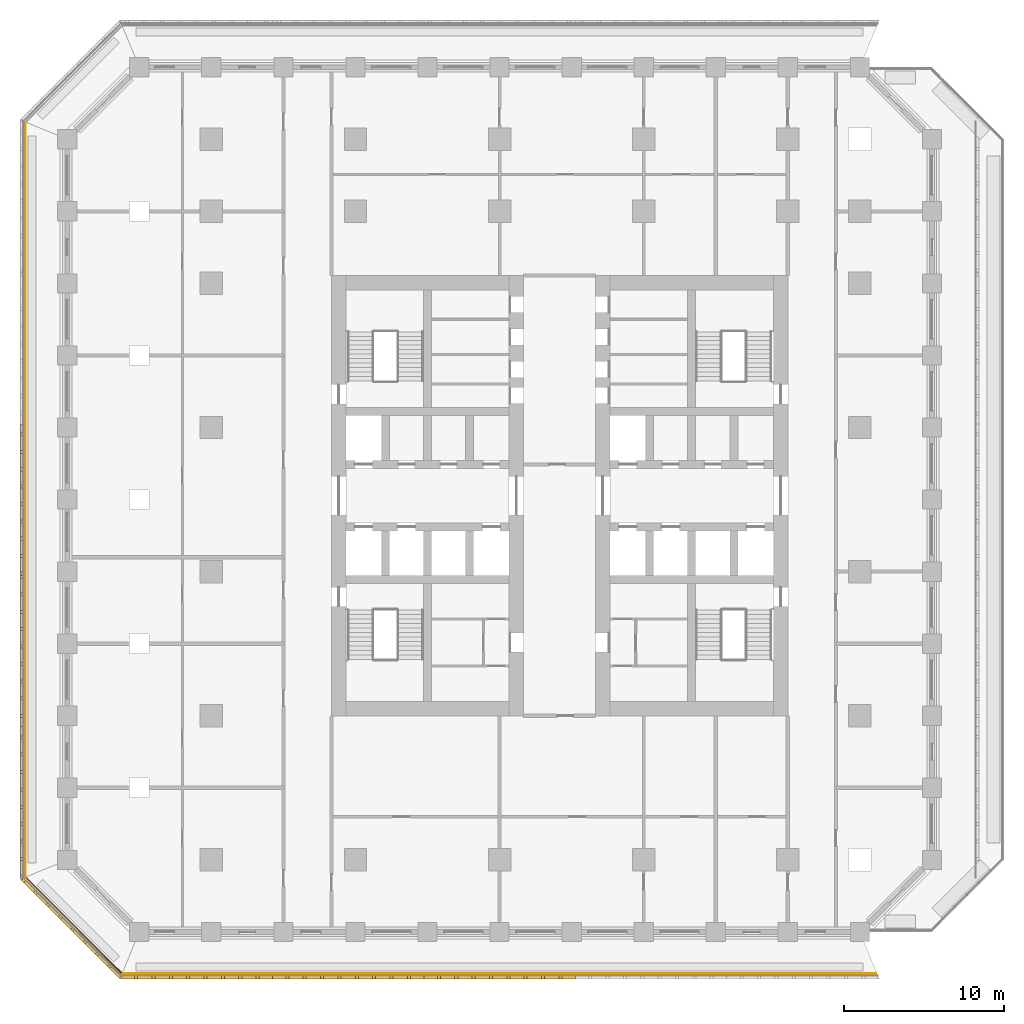
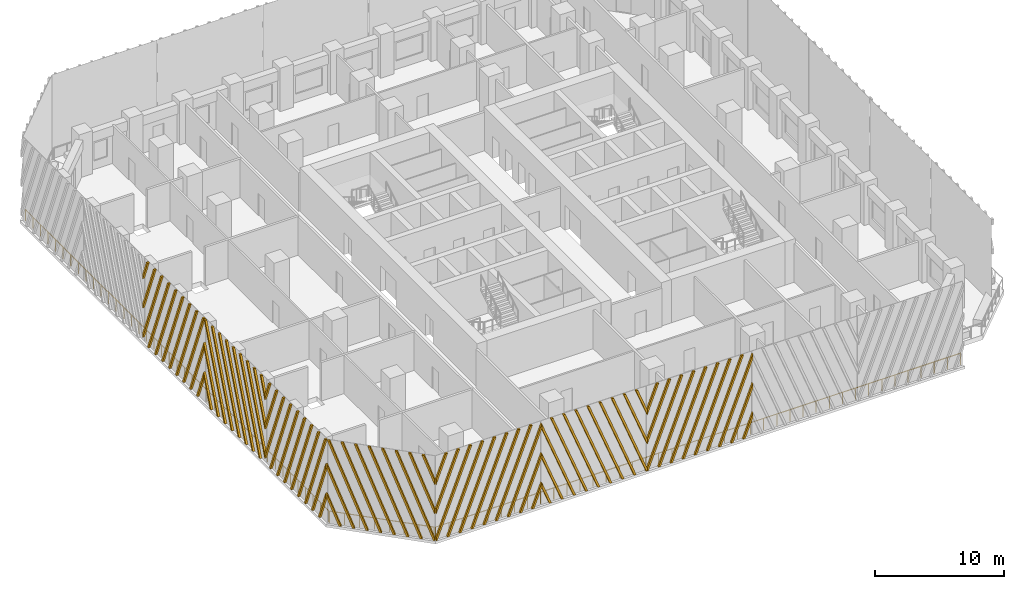
# One storey, part 10 of 19: 7 shading devices, 3 railings.
"""IFC4 building model written with IfcOpenShell, lengths in metres."""

import ifcopenshell
import ifcopenshell.guid

model = None  # the IFC model being written
_history = None  # IfcOwnerHistory: only IFC2X3 demands one
_inside = {}  # id of a spatial element -> (the spatial element, [elements in it])
_under = {}  # id of a project, library or spatial element -> (it, [spatial elements below it])
_declared = {}  # id of a project -> (the project, [libraries it declares])
_typed = {}  # id of a type object -> (the type object, [elements of that type])
_made_of = {}  # id of a material, layer set ... -> (it, [elements and type objects made of it])


def new_model(schema):
    """Start an empty IFC model of exactly this schema.

    Asked for "IFC4X3", IfcOpenShell would pick the latest addendum, in which some entities
    have other attributes; the version numbers below select the first issue.
    IFC2X3 requires an IfcOwnerHistory on every rooted entity: one is made here for all.
    """
    global model, _history
    if schema == "IFC4X3":
        model = ifcopenshell.file(schema_version=(4, 3, 0, 0))
    else:
        model = ifcopenshell.file(schema=schema)
    _inside.clear()
    _under.clear()
    _declared.clear()
    _typed.clear()
    _made_of.clear()
    _history = None
    if model.schema == "IFC2X3":
        org = make("IfcOrganization", Name="unknown")
        user = make(
            "IfcPersonAndOrganization",
            ThePerson=make("IfcPerson", FamilyName="unknown"),
            TheOrganization=org,
        )
        app = make(
            "IfcApplication",
            ApplicationDeveloper=org,
            Version="unknown",
            ApplicationFullName="unknown",
            ApplicationIdentifier="unknown",
        )
        _history = make(
            "IfcOwnerHistory",
            OwningUser=user,
            OwningApplication=app,
            ChangeAction="ADDED",
            CreationDate=0,
        )
    return model


def make(cls, **values):
    """One entity of the class cls with the attributes given. An attribute that is None is left unset."""
    return model.create_entity(
        cls, **{name: value for name, value in values.items() if value is not None}
    )


def rooted(cls, **values):
    """An entity with a GlobalId (a new one), such as an element, a storey or a relation."""
    return make(cls, GlobalId=ifcopenshell.guid.new(), OwnerHistory=_history, **values)


def si_unit(unit_type, name, prefix=None):
    """IfcSIUnit, for example si_unit("LENGTHUNIT", "METRE", prefix="MILLI")."""
    return make("IfcSIUnit", UnitType=unit_type, Prefix=prefix, Name=name)


def assignment(units):
    """IfcUnitAssignment: the units of a project."""
    return None if units is None else make("IfcUnitAssignment", Units=units)


def point(xyz):
    """IfcCartesianPoint."""
    return None if xyz is None else make("IfcCartesianPoint", Coordinates=xyz)


def direction(xyz):
    """IfcDirection."""
    return None if xyz is None else make("IfcDirection", DirectionRatios=xyz)


def frame(location, z_axis=None, x_axis=None):
    """IfcAxis2Placement3D, a coordinate frame: its origin and axes. An axis left out is left unset."""
    return make(
        "IfcAxis2Placement3D",
        Location=point(location),
        Axis=direction(z_axis),
        RefDirection=direction(x_axis),
    )


def frame_2d(location, x_axis=None):
    """IfcAxis2Placement2D, a coordinate frame in the plane: its origin and x axis."""
    return make(
        "IfcAxis2Placement2D", Location=point(location), RefDirection=direction(x_axis)
    )


def origin():
    """The frame at (0, 0, 0) with its axes left unset."""
    return frame((0.0, 0.0, 0.0))


def origin_2d():
    """The frame at (0, 0) in the plane with its x axis left unset."""
    return frame_2d((0.0, 0.0))


def place(relative_to, where):
    """IfcLocalPlacement: puts the frame where relative to a parent placement (None: the world)."""
    return make(
        "IfcLocalPlacement", PlacementRelTo=relative_to, RelativePlacement=where
    )


def context(
    kind, dimensions, precision=None, world=None, true_north=None, identifier=None
):
    """IfcGeometricRepresentationContext, for example the 3D "Model" context."""
    return make(
        "IfcGeometricRepresentationContext",
        ContextIdentifier=identifier,
        ContextType=kind,
        CoordinateSpaceDimension=dimensions,
        Precision=precision,
        WorldCoordinateSystem=world,
        TrueNorth=true_north,
    )


def subcontext(parent, identifier, kind, view, scale=None):
    """IfcGeometricRepresentationSubContext, for example "Body" below "Model"."""
    return make(
        "IfcGeometricRepresentationSubContext",
        ContextIdentifier=identifier,
        ContextType=kind,
        ParentContext=parent,
        TargetScale=scale,
        TargetView=view,
    )


def project(units=None, contexts=None):
    """IfcProject with its units and contexts."""
    return rooted(
        "IfcProject",
        Name="project",
        RepresentationContexts=contexts,
        UnitsInContext=assignment(units),
    )


def spatial(cls, under=None, at=None, **own):
    """A site, building, storey or space (cls), placed at a placement, below another one or the project."""
    s = rooted(cls, ObjectPlacement=at, **own)
    if under is not None:
        _under.setdefault(under.id(), (under, []))[1].append(s)
    return s


def polyline(points):
    """IfcPolyline through the points."""
    return make("IfcPolyline", Points=[point(p) for p in points])


def profile(cls, at=None, kind="AREA", **sizes):
    """A parametric profile (cls). Its sizes go by their IFC names, for example OverallWidth=200.0."""
    return make(cls, ProfileType=kind, Position=at, **sizes)


def circle(**sizes):
    """IfcCircleProfileDef."""
    return profile("IfcCircleProfileDef", **sizes)


def outline(outer, holes=None, kind="AREA"):
    """IfcArbitraryClosedProfileDef: a profile drawn as a closed curve; with holes, ...WithVoids."""
    if holes is None:
        return make("IfcArbitraryClosedProfileDef", ProfileType=kind, OuterCurve=outer)
    return make(
        "IfcArbitraryProfileDefWithVoids",
        ProfileType=kind,
        OuterCurve=outer,
        InnerCurves=holes,
    )


def extrude(swept, where, along, depth):
    """IfcExtrudedAreaSolid: the profile swept, set in the frame where, extruded along a direction by depth."""
    return make(
        "IfcExtrudedAreaSolid",
        SweptArea=swept,
        Position=where,
        ExtrudedDirection=direction(along),
        Depth=depth,
    )


def shape(context_of_items, identifier, shape_type, items):
    """IfcShapeRepresentation: the items that make up one representation, for example the "Body"."""
    return make(
        "IfcShapeRepresentation",
        ContextOfItems=context_of_items,
        RepresentationIdentifier=identifier,
        RepresentationType=shape_type,
        Items=items,
    )


def source(mapping_origin, context_of_items, identifier, shape_type, items):
    """IfcRepresentationMap: a shape defined once, which mapped items show again and again."""
    return make(
        "IfcRepresentationMap",
        MappingOrigin=mapping_origin,
        MappedRepresentation=shape(context_of_items, identifier, shape_type, items),
    )


def transform(
    local_origin,
    x_axis=None,
    y_axis=None,
    z_axis=None,
    scale=None,
    scale2=None,
    scale3=None,
    uniform=True,
):
    """IfcCartesianTransformationOperator3D, or its non-uniform kind. x_axis, y_axis, z_axis: its Axis1, 2, 3."""
    if uniform:
        return make(
            "IfcCartesianTransformationOperator3D",
            Axis1=direction(x_axis),
            Axis2=direction(y_axis),
            LocalOrigin=point(local_origin),
            Scale=scale,
            Axis3=direction(z_axis),
        )
    return make(
        "IfcCartesianTransformationOperator3DnonUniform",
        Axis1=direction(x_axis),
        Axis2=direction(y_axis),
        LocalOrigin=point(local_origin),
        Scale=scale,
        Axis3=direction(z_axis),
        Scale2=scale2,
        Scale3=scale3,
    )


def mapped(mapping_source, mapping_target):
    """IfcMappedItem: shows the shape of a source again, moved by a transform."""
    return make(
        "IfcMappedItem", MappingSource=mapping_source, MappingTarget=mapping_target
    )


def material(Name=None, Category=None):
    """IfcMaterial."""
    return make("IfcMaterial", Name=Name, Category=Category)


def made_of(thing, what):
    """Note that an element or type object is made of a material, layer set ...; save() writes the relation."""
    if what is not None:
        _made_of.setdefault(what.id(), (what, []))[1].append(thing)
    return thing


def type_object(cls, material=None, **own):
    """A type object (cls), such as IfcWallType, which elements share."""
    return made_of(rooted(cls, **own), material)


def element(
    cls,
    number,
    at=None,
    inside=None,
    cuts=None,
    type_object=None,
    material=None,
    context=None,
    identifier="Body",
    shape_type=None,
    held_by="IfcProductDefinitionShape",
    body=None,
    shapes=None,
    **own,
):
    """One element of the class cls, such as IfcWall. Its Tag is "e" and its number.

    at: its placement. inside: the storey or other place that contains it. cuts: it is an
    opening in that element (IfcRelVoidsElement). A single representation is given by context,
    identifier, shape_type and body (its items); several are given by shapes. held_by: the class
    of the entity that holds the representations. save() writes the other relations.
    """
    e = rooted(cls, Tag="e%d" % number, ObjectPlacement=at, **own)
    if body is not None:
        shapes = [shape(context, identifier, shape_type, body)]
    if shapes is not None:
        e.Representation = make(held_by, Representations=shapes)
    if inside is not None:
        _inside.setdefault(inside.id(), (inside, []))[1].append(e)
    if cuts is not None:
        rooted(
            "IfcRelVoidsElement", RelatingBuildingElement=cuts, RelatedOpeningElement=e
        )
    if type_object is not None:
        _typed.setdefault(type_object.id(), (type_object, []))[1].append(e)
    return made_of(e, material)


def aggregate(whole, parts):
    """IfcRelAggregates: a whole, such as a stair, and the parts it consists of."""
    return rooted("IfcRelAggregates", RelatingObject=whole, RelatedObjects=parts)


def save(model, path):
    """Write the relations noted so far, then the file.

    IfcRelAggregates (storeys below a building ...), IfcRelContainedInSpatialStructure (elements
    in a storey), IfcRelDefinesByType, IfcRelAssociatesMaterial and IfcRelDeclares: one each for
    every whole, place, type object, material and project.
    """
    for whole, parts in _under.values():
        aggregate(whole, parts)
    for where, things in _inside.values():
        rooted(
            "IfcRelContainedInSpatialStructure",
            RelatedElements=things,
            RelatingStructure=where,
        )
    for kind, things in _typed.values():
        rooted("IfcRelDefinesByType", RelatedObjects=things, RelatingType=kind)
    for what, things in _made_of.values():
        rooted("IfcRelAssociatesMaterial", RelatedObjects=things, RelatingMaterial=what)
    for by, libraries in _declared.values():
        rooted("IfcRelDeclares", RelatingContext=by, RelatedDefinitions=libraries)
    model.write(path)


model = new_model("IFC4")

# Units and contexts
model_context = context("Model", 3, precision=1e-05, world=origin(), true_north=direction((0.0, 1.0)))
body_context = subcontext(model_context, "Body", "Model", "MODEL_VIEW")
ifc_project = project(units=[si_unit("LENGTHUNIT", "METRE"), si_unit("AREAUNIT", "SQUARE_METRE"), si_unit("VOLUMEUNIT", "CUBIC_METRE"), si_unit("PLANEANGLEUNIT", "RADIAN"), si_unit("MASSUNIT", "GRAM", prefix="KILO")], contexts=[model_context])

# Site, building, storey
site_placement = place(None, origin())
site = spatial("IfcSite", under=ifc_project, at=site_placement, CompositionType="ELEMENT")
building_placement = place(site_placement, origin())
building = spatial("IfcBuilding", under=site, at=building_placement, Name="Corbel Stack Research Tower", CompositionType="ELEMENT")
storey_placement = place(building_placement, frame((0.0, 0.0, 116.699951171875)))
storey = spatial("IfcBuildingStorey", under=building, at=storey_placement, Name="L26", CompositionType="ELEMENT", Elevation=116.699951171875)

# Railings
ifc_material_1 = material(Name="Powder-coated steel guard", Category="steel")
railing_type = type_object("IfcRailingType", Name="Steel and glass guard 1100", PredefinedType="GUARDRAIL", material=ifc_material_1)
railing_1_placement = place(storey_placement, frame((-23.50537109375, -25.10009765625, 0.0)))
element("IfcRailing", 1, at=railing_1_placement, inside=storey, type_object=railing_type, Name="Loggia guard L26 S", PredefinedType="GUARDRAIL", context=body_context, shape_type="SweptSolid", body=[
    extrude(circle(Radius=0.02392578125, at=origin_2d()), frame((0.0, 0.0, 1.076171875), z_axis=(1.0, 0.0, 0.0), x_axis=(0.0, 1.0, 0.0)), (0.0, 0.0, 1.0), 47.0107421875),
    extrude(circle(Radius=0.02099609375, at=origin_2d()), origin(), (0.0, 0.0, 1.0), 1.052001953125),
    extrude(circle(Radius=0.02099609375, at=origin_2d()), frame((1.17529296875, 0.0, 0.0)), (0.0, 0.0, 1.0), 1.052001953125),
    extrude(circle(Radius=0.02099609375, at=origin_2d()), frame((2.3505859375, 0.0, 0.0)), (0.0, 0.0, 1.0), 1.052001953125),
    extrude(circle(Radius=0.02099609375, at=origin_2d()), frame((3.52587890625, 0.0, 0.0)), (0.0, 0.0, 1.0), 1.052001953125),
    extrude(circle(Radius=0.02099609375, at=origin_2d()), frame((4.701171875, 0.0, 0.0)), (0.0, 0.0, 1.0), 1.052001953125),
    extrude(circle(Radius=0.02099609375, at=origin_2d()), frame((5.87646484375, 0.0, 0.0)), (0.0, 0.0, 1.0), 1.052001953125),
    extrude(circle(Radius=0.02099609375, at=origin_2d()), frame((7.051513671875, 0.0, 0.0)), (0.0, 0.0, 1.0), 1.052001953125),
    extrude(circle(Radius=0.02099609375, at=origin_2d()), frame((8.226806640625, 0.0, 0.0)), (0.0, 0.0, 1.0), 1.052001953125),
    extrude(circle(Radius=0.02099609375, at=origin_2d()), frame((9.402099609375, 0.0, 0.0)), (0.0, 0.0, 1.0), 1.052001953125),
    extrude(circle(Radius=0.02099609375, at=origin_2d()), frame((10.577392578125, 0.0, 0.0)), (0.0, 0.0, 1.0), 1.052001953125),
    extrude(circle(Radius=0.02099609375, at=origin_2d()), frame((11.752685546875, 0.0, 0.0)), (0.0, 0.0, 1.0), 1.052001953125),
    extrude(circle(Radius=0.02099609375, at=origin_2d()), frame((12.927978515625, 0.0, 0.0)), (0.0, 0.0, 1.0), 1.052001953125),
    extrude(circle(Radius=0.02099609375, at=origin_2d()), frame((14.103271484375, 0.0, 0.0)), (0.0, 0.0, 1.0), 1.052001953125),
    extrude(circle(Radius=0.02099609375, at=origin_2d()), frame((15.278564453125, 0.0, 0.0)), (0.0, 0.0, 1.0), 1.052001953125),
    extrude(circle(Radius=0.02099609375, at=origin_2d()), frame((16.453857421875, 0.0, 0.0)), (0.0, 0.0, 1.0), 1.052001953125),
    extrude(circle(Radius=0.02099609375, at=origin_2d()), frame((17.62890625, 0.0, 0.0)), (0.0, 0.0, 1.0), 1.052001953125),
    extrude(circle(Radius=0.02099609375, at=origin_2d()), frame((18.80419921875, 0.0, 0.0)), (0.0, 0.0, 1.0), 1.052001953125),
    extrude(circle(Radius=0.02099609375, at=origin_2d()), frame((19.9794921875, 0.0, 0.0)), (0.0, 0.0, 1.0), 1.052001953125),
    extrude(circle(Radius=0.02099609375, at=origin_2d()), frame((21.15478515625, 0.0, 0.0)), (0.0, 0.0, 1.0), 1.052001953125),
    extrude(circle(Radius=0.02099609375, at=origin_2d()), frame((22.330078125, 0.0, 0.0)), (0.0, 0.0, 1.0), 1.052001953125),
    extrude(circle(Radius=0.02099609375, at=origin_2d()), frame((23.50537109375, 0.0, 0.0)), (0.0, 0.0, 1.0), 1.052001953125),
    extrude(circle(Radius=0.02099609375, at=origin_2d()), frame((24.6806640625, 0.0, 0.0)), (0.0, 0.0, 1.0), 1.052001953125),
    extrude(circle(Radius=0.02099609375, at=origin_2d()), frame((25.85595703125, 0.0, 0.0)), (0.0, 0.0, 1.0), 1.052001953125),
    extrude(circle(Radius=0.02099609375, at=origin_2d()), frame((27.03125, 0.0, 0.0)), (0.0, 0.0, 1.0), 1.052001953125),
    extrude(circle(Radius=0.02099609375, at=origin_2d()), frame((28.20654296875, 0.0, 0.0)), (0.0, 0.0, 1.0), 1.052001953125),
    extrude(circle(Radius=0.02099609375, at=origin_2d()), frame((29.3818359375, 0.0, 0.0)), (0.0, 0.0, 1.0), 1.052001953125),
    extrude(circle(Radius=0.02099609375, at=origin_2d()), frame((30.556884765625, 0.0, 0.0)), (0.0, 0.0, 1.0), 1.052001953125),
    extrude(circle(Radius=0.02099609375, at=origin_2d()), frame((31.732177734375, 0.0, 0.0)), (0.0, 0.0, 1.0), 1.052001953125),
    extrude(circle(Radius=0.02099609375, at=origin_2d()), frame((32.907470703125, 0.0, 0.0)), (0.0, 0.0, 1.0), 1.052001953125),
    extrude(circle(Radius=0.02099609375, at=origin_2d()), frame((34.082763671875, 0.0, 0.0)), (0.0, 0.0, 1.0), 1.052001953125),
    extrude(circle(Radius=0.02099609375, at=origin_2d()), frame((35.258056640625, 0.0, 0.0)), (0.0, 0.0, 1.0), 1.052001953125),
    extrude(circle(Radius=0.02099609375, at=origin_2d()), frame((36.433349609375, 0.0, 0.0)), (0.0, 0.0, 1.0), 1.052001953125),
    extrude(circle(Radius=0.02099609375, at=origin_2d()), frame((37.608642578125, 0.0, 0.0)), (0.0, 0.0, 1.0), 1.052001953125),
    extrude(circle(Radius=0.02099609375, at=origin_2d()), frame((38.783935546875, 0.0, 0.0)), (0.0, 0.0, 1.0), 1.052001953125),
    extrude(circle(Radius=0.02099609375, at=origin_2d()), frame((39.959228515625, 0.0, 0.0)), (0.0, 0.0, 1.0), 1.052001953125),
    extrude(circle(Radius=0.02099609375, at=origin_2d()), frame((41.13427734375, 0.0, 0.0)), (0.0, 0.0, 1.0), 1.052001953125),
    extrude(circle(Radius=0.02099609375, at=origin_2d()), frame((42.3095703125, 0.0, 0.0)), (0.0, 0.0, 1.0), 1.052001953125),
    extrude(circle(Radius=0.02099609375, at=origin_2d()), frame((43.48486328125, 0.0, 0.0)), (0.0, 0.0, 1.0), 1.052001953125),
    extrude(circle(Radius=0.02099609375, at=origin_2d()), frame((44.66015625, 0.0, 0.0)), (0.0, 0.0, 1.0), 1.052001953125),
    extrude(circle(Radius=0.02099609375, at=origin_2d()), frame((45.83544921875, 0.0, 0.0)), (0.0, 0.0, 1.0), 1.052001953125),
    extrude(circle(Radius=0.02099609375, at=origin_2d()), frame((47.0107421875, 0.0, 0.0)), (0.0, 0.0, 1.0), 1.052001953125),
])
railing_2_placement = place(storey_placement, frame((-29.60009765625, 28.00537109375, 0.0)))
element("IfcRailing", 2, at=railing_2_placement, inside=storey, type_object=railing_type, Name="Loggia guard L26 W", PredefinedType="GUARDRAIL", context=body_context, shape_type="SweptSolid", body=[
    extrude(circle(Radius=0.02392578125, at=origin_2d()), frame((0.0, 0.0, 1.076171875), z_axis=(0.0, -1.0, 0.0), x_axis=(1.0, 0.0, 0.0)), (0.0, 0.0, 1.0), 47.0107421875),
    extrude(circle(Radius=0.02099609375, at=origin_2d()), origin(), (0.0, 0.0, 1.0), 1.052001953125),
    extrude(circle(Radius=0.02099609375, at=origin_2d()), frame((0.0, -1.17529296875, 0.0)), (0.0, 0.0, 1.0), 1.052001953125),
    extrude(circle(Radius=0.02099609375, at=origin_2d()), frame((0.0, -2.3505859375, 0.0)), (0.0, 0.0, 1.0), 1.052001953125),
    extrude(circle(Radius=0.02099609375, at=origin_2d()), frame((0.0, -3.52587890625, 0.0)), (0.0, 0.0, 1.0), 1.052001953125),
    extrude(circle(Radius=0.02099609375, at=origin_2d()), frame((0.0, -4.701171875, 0.0)), (0.0, 0.0, 1.0), 1.052001953125),
    extrude(circle(Radius=0.02099609375, at=origin_2d()), frame((0.0, -5.87646484375, 0.0)), (0.0, 0.0, 1.0), 1.052001953125),
    extrude(circle(Radius=0.02099609375, at=origin_2d()), frame((0.0, -7.051513671875, 0.0)), (0.0, 0.0, 1.0), 1.052001953125),
    extrude(circle(Radius=0.02099609375, at=origin_2d()), frame((0.0, -8.226806640625, 0.0)), (0.0, 0.0, 1.0), 1.052001953125),
    extrude(circle(Radius=0.02099609375, at=origin_2d()), frame((0.0, -9.402099609375, 0.0)), (0.0, 0.0, 1.0), 1.052001953125),
    extrude(circle(Radius=0.02099609375, at=origin_2d()), frame((0.0, -10.577392578125, 0.0)), (0.0, 0.0, 1.0), 1.052001953125),
    extrude(circle(Radius=0.02099609375, at=origin_2d()), frame((0.0, -11.752685546875, 0.0)), (0.0, 0.0, 1.0), 1.052001953125),
    extrude(circle(Radius=0.02099609375, at=origin_2d()), frame((0.0, -12.927978515625, 0.0)), (0.0, 0.0, 1.0), 1.052001953125),
    extrude(circle(Radius=0.02099609375, at=origin_2d()), frame((0.0, -14.103271484375, 0.0)), (0.0, 0.0, 1.0), 1.052001953125),
    extrude(circle(Radius=0.02099609375, at=origin_2d()), frame((0.0, -15.278564453125, 0.0)), (0.0, 0.0, 1.0), 1.052001953125),
    extrude(circle(Radius=0.02099609375, at=origin_2d()), frame((0.0, -16.453857421875, 0.0)), (0.0, 0.0, 1.0), 1.052001953125),
    extrude(circle(Radius=0.02099609375, at=origin_2d()), frame((0.0, -17.62890625, 0.0)), (0.0, 0.0, 1.0), 1.052001953125),
    extrude(circle(Radius=0.02099609375, at=origin_2d()), frame((0.0, -18.80419921875, 0.0)), (0.0, 0.0, 1.0), 1.052001953125),
    extrude(circle(Radius=0.02099609375, at=origin_2d()), frame((0.0, -19.9794921875, 0.0)), (0.0, 0.0, 1.0), 1.052001953125),
    extrude(circle(Radius=0.02099609375, at=origin_2d()), frame((0.0, -21.15478515625, 0.0)), (0.0, 0.0, 1.0), 1.052001953125),
    extrude(circle(Radius=0.02099609375, at=origin_2d()), frame((0.0, -22.330078125, 0.0)), (0.0, 0.0, 1.0), 1.052001953125),
    extrude(circle(Radius=0.02099609375, at=origin_2d()), frame((0.0, -23.50537109375, 0.0)), (0.0, 0.0, 1.0), 1.052001953125),
    extrude(circle(Radius=0.02099609375, at=origin_2d()), frame((0.0, -24.6806640625, 0.0)), (0.0, 0.0, 1.0), 1.052001953125),
    extrude(circle(Radius=0.02099609375, at=origin_2d()), frame((0.0, -25.85595703125, 0.0)), (0.0, 0.0, 1.0), 1.052001953125),
    extrude(circle(Radius=0.02099609375, at=origin_2d()), frame((0.0, -27.03125, 0.0)), (0.0, 0.0, 1.0), 1.052001953125),
    extrude(circle(Radius=0.02099609375, at=origin_2d()), frame((0.0, -28.20654296875, 0.0)), (0.0, 0.0, 1.0), 1.052001953125),
    extrude(circle(Radius=0.02099609375, at=origin_2d()), frame((0.0, -29.3818359375, 0.0)), (0.0, 0.0, 1.0), 1.052001953125),
    extrude(circle(Radius=0.02099609375, at=origin_2d()), frame((0.0, -30.556884765625, 0.0)), (0.0, 0.0, 1.0), 1.052001953125),
    extrude(circle(Radius=0.02099609375, at=origin_2d()), frame((0.0, -31.732177734375, 0.0)), (0.0, 0.0, 1.0), 1.052001953125),
    extrude(circle(Radius=0.02099609375, at=origin_2d()), frame((0.0, -32.907470703125, 0.0)), (0.0, 0.0, 1.0), 1.052001953125),
    extrude(circle(Radius=0.02099609375, at=origin_2d()), frame((0.0, -34.082763671875, 0.0)), (0.0, 0.0, 1.0), 1.052001953125),
    extrude(circle(Radius=0.02099609375, at=origin_2d()), frame((0.0, -35.258056640625, 0.0)), (0.0, 0.0, 1.0), 1.052001953125),
    extrude(circle(Radius=0.02099609375, at=origin_2d()), frame((0.0, -36.433349609375, 0.0)), (0.0, 0.0, 1.0), 1.052001953125),
    extrude(circle(Radius=0.02099609375, at=origin_2d()), frame((0.0, -37.608642578125, 0.0)), (0.0, 0.0, 1.0), 1.052001953125),
    extrude(circle(Radius=0.02099609375, at=origin_2d()), frame((0.0, -38.783935546875, 0.0)), (0.0, 0.0, 1.0), 1.052001953125),
    extrude(circle(Radius=0.02099609375, at=origin_2d()), frame((0.0, -39.959228515625, 0.0)), (0.0, 0.0, 1.0), 1.052001953125),
    extrude(circle(Radius=0.02099609375, at=origin_2d()), frame((0.0, -41.13427734375, 0.0)), (0.0, 0.0, 1.0), 1.052001953125),
    extrude(circle(Radius=0.02099609375, at=origin_2d()), frame((0.0, -42.3095703125, 0.0)), (0.0, 0.0, 1.0), 1.052001953125),
    extrude(circle(Radius=0.02099609375, at=origin_2d()), frame((0.0, -43.48486328125, 0.0)), (0.0, 0.0, 1.0), 1.052001953125),
    extrude(circle(Radius=0.02099609375, at=origin_2d()), frame((0.0, -44.66015625, 0.0)), (0.0, 0.0, 1.0), 1.052001953125),
    extrude(circle(Radius=0.02099609375, at=origin_2d()), frame((0.0, -45.83544921875, 0.0)), (0.0, 0.0, 1.0), 1.052001953125),
    extrude(circle(Radius=0.02099609375, at=origin_2d()), frame((0.0, -47.0107421875, 0.0)), (0.0, 0.0, 1.0), 1.052001953125),
])
railing_3_placement = place(storey_placement, frame((-29.54931640625, -19.127685546875, 0.0)))
element("IfcRailing", 3, at=railing_3_placement, inside=storey, type_object=railing_type, Name="Loggia guard L26 SW", PredefinedType="GUARDRAIL", context=body_context, shape_type="SweptSolid", body=[
    extrude(circle(Radius=0.02392578125, at=origin_2d()), frame((0.0, 0.0, 1.076171875), z_axis=(0.707106781187, -0.707106781187, 0.0), x_axis=(0.707106781187, 0.707106781187, 0.0)), (0.0, 0.0, 1.0), 8.37451171875),
    extrude(circle(Radius=0.02099609375, at=origin_2d()), origin(), (0.0, 0.0, 1.0), 1.052001953125),
    extrude(circle(Radius=0.02099609375, at=origin_2d()), frame((0.845947265625, -0.845947265625, 0.0)), (0.0, 0.0, 1.0), 1.052001953125),
    extrude(circle(Radius=0.02099609375, at=origin_2d()), frame((1.69189453125, -1.69189453125, 0.0)), (0.0, 0.0, 1.0), 1.052001953125),
    extrude(circle(Radius=0.02099609375, at=origin_2d()), frame((2.537841796875, -2.537841796875, 0.0)), (0.0, 0.0, 1.0), 1.052001953125),
    extrude(circle(Radius=0.02099609375, at=origin_2d()), frame((3.3837890625, -3.3837890625, 0.0)), (0.0, 0.0, 1.0), 1.052001953125),
    extrude(circle(Radius=0.02099609375, at=origin_2d()), frame((4.229736328125, -4.229736328125, 0.0)), (0.0, 0.0, 1.0), 1.052001953125),
    extrude(circle(Radius=0.02099609375, at=origin_2d()), frame((5.07568359375, -5.07568359375, 0.0)), (0.0, 0.0, 1.0), 1.052001953125),
    extrude(circle(Radius=0.02099609375, at=origin_2d()), frame((5.921630859375, -5.921630859375, 0.0)), (0.0, 0.0, 1.0), 1.052001953125),
])

# Shading devices
ifc_material_2 = material(Name="Precast terracotta", Category="masonry")
shading_device_type = type_object("IfcShadingDeviceType", Name="Terracotta screen panel", PredefinedType="USERDEFINED", material=ifc_material_2)
shared_shape_1 = source(origin(), body_context, "Body", "SweptSolid", [
    extrude(outline(polyline([(1.030517578125, 7.949951171875), (0.840576171875, 7.949951171875), (0.0, 5.7978515625), (0.0, 5.311279296875), (1.030517578125, 7.949951171875)])), frame((0.0, 0.0, 0.0), z_axis=(0.0, -1.0, 0.0), x_axis=(1.0, 0.0, 0.0)), (0.0, 0.0, 1.0), 0.179931640625),
    extrude(outline(polyline([(2.115234375, 7.949951171875), (1.92529296875, 7.949951171875), (0.0, 3.0205078125), (0.0, 2.533935546875), (2.115234375, 7.949951171875)])), frame((0.0, 0.0, 0.0), z_axis=(0.0, -1.0, 0.0), x_axis=(1.0, 0.0, 0.0)), (0.0, 0.0, 1.0), 0.179931640625),
    extrude(outline(polyline([(0.094970703125, 0.0), (3.199951171875, 7.949951171875), (3.010009765625, 7.949951171875), (0.0, 0.2431640625), (0.0, 0.0), (0.094970703125, 0.0)])), frame((0.0, 0.0, 0.0), z_axis=(0.0, -1.0, 0.0), x_axis=(1.0, 0.0, 0.0)), (0.0, 0.0, 1.0), 0.179931640625),
    extrude(outline(polyline([(1.1796875, 0.0), (4.284423828125, 7.949951171875), (4.094482421875, 7.949951171875), (0.98974609375, 0.0), (1.1796875, 0.0)])), frame((0.0, 0.0, 0.0), z_axis=(0.0, -1.0, 0.0), x_axis=(1.0, 0.0, 0.0)), (0.0, 0.0, 1.0), 0.179931640625),
    extrude(outline(polyline([(2.264404296875, 0.0), (5.369140625, 7.949951171875), (5.17919921875, 7.949951171875), (2.07421875, 0.0), (2.264404296875, 0.0)])), frame((0.0, 0.0, 0.0), z_axis=(0.0, -1.0, 0.0), x_axis=(1.0, 0.0, 0.0)), (0.0, 0.0, 1.0), 0.179931640625),
    extrude(outline(polyline([(3.34912109375, 0.0), (6.453857421875, 7.949951171875), (6.263916015625, 7.949951171875), (3.158935546875, 0.0), (3.34912109375, 0.0)])), frame((0.0, 0.0, 0.0), z_axis=(0.0, -1.0, 0.0), x_axis=(1.0, 0.0, 0.0)), (0.0, 0.0, 1.0), 0.179931640625),
    extrude(outline(polyline([(4.43359375, 0.0), (7.53857421875, 7.949951171875), (7.348388671875, 7.949951171875), (4.24365234375, 0.0), (4.43359375, 0.0)])), frame((0.0, 0.0, 0.0), z_axis=(0.0, -1.0, 0.0), x_axis=(1.0, 0.0, 0.0)), (0.0, 0.0, 1.0), 0.179931640625),
    extrude(outline(polyline([(5.518310546875, 0.0), (8.623291015625, 7.949951171875), (8.43310546875, 7.949951171875), (5.328369140625, 0.0), (5.518310546875, 0.0)])), frame((0.0, 0.0, 0.0), z_axis=(0.0, -1.0, 0.0), x_axis=(1.0, 0.0, 0.0)), (0.0, 0.0, 1.0), 0.179931640625),
    extrude(outline(polyline([(6.60302734375, 0.0), (9.45556640625, 7.30419921875), (9.45556640625, 7.790771484375), (6.4130859375, 0.0), (6.60302734375, 0.0)])), frame((0.0, 0.0, 0.0), z_axis=(0.0, -1.0, 0.0), x_axis=(1.0, 0.0, 0.0)), (0.0, 0.0, 1.0), 0.179931640625),
    extrude(outline(polyline([(7.687744140625, 0.0), (9.45556640625, 4.52685546875), (9.45556640625, 5.013427734375), (7.497802734375, 0.0), (7.687744140625, 0.0)])), frame((0.0, 0.0, 0.0), z_axis=(0.0, -1.0, 0.0), x_axis=(1.0, 0.0, 0.0)), (0.0, 0.0, 1.0), 0.179931640625),
    extrude(outline(polyline([(8.772216796875, 0.0), (9.45556640625, 1.74951171875), (9.45556640625, 2.236083984375), (8.582275390625, 0.0), (8.772216796875, 0.0)])), frame((0.0, 0.0, 0.0), z_axis=(0.0, -1.0, 0.0), x_axis=(1.0, 0.0, 0.0)), (0.0, 0.0, 1.0), 0.179931640625),
])
for number, where, z_axis, x_axis, name in (
    (4, (-23.63916015625, -25.25, 0.0), (0.0, 0.0, 1.0), (1.0, 0.0, 0.0), "Terracotta screen L26 S1"),
    (5, (-4.727783203125, -25.25, 0.0), (0.0, 0.0, 1.0), (1.0, 0.0, 0.0), "Terracotta screen L26 S3"),
):
    element("IfcShadingDevice", number, at=place(storey_placement, frame(where, z_axis=z_axis, x_axis=x_axis)), inside=storey, type_object=shading_device_type, Name=name, ObjectType="SCREEN", PredefinedType="USERDEFINED", context=body_context, shape_type="MappedRepresentation", body=[
        mapped(shared_shape_1, transform((0.0, 0.0, 0.0))),
    ])
shared_shape_2 = source(origin(), body_context, "Body", "SweptSolid", [
    extrude(outline(polyline([(0.873291015625, 0.0), (0.0, 2.236083984375), (0.0, 1.74951171875), (0.683349609375, 0.0), (0.873291015625, 0.0)])), frame((0.0, 0.0, 0.0), z_axis=(0.0, -1.0, 0.0), x_axis=(1.0, 0.0, 0.0)), (0.0, 0.0, 1.0), 0.179931640625),
    extrude(outline(polyline([(1.9580078125, 0.0), (0.0, 5.013427734375), (0.0, 4.52685546875), (1.76806640625, 0.0), (1.9580078125, 0.0)])), frame((0.0, 0.0, 0.0), z_axis=(0.0, -1.0, 0.0), x_axis=(1.0, 0.0, 0.0)), (0.0, 0.0, 1.0), 0.179931640625),
    extrude(outline(polyline([(3.04248046875, 0.0), (0.0, 7.790771484375), (0.0, 7.30419921875), (2.8525390625, 0.0), (3.04248046875, 0.0)])), frame((0.0, 0.0, 0.0), z_axis=(0.0, -1.0, 0.0), x_axis=(1.0, 0.0, 0.0)), (0.0, 0.0, 1.0), 0.179931640625),
    extrude(outline(polyline([(4.127197265625, 0.0), (1.0224609375, 7.949951171875), (0.83251953125, 7.949951171875), (3.937255859375, 0.0), (4.127197265625, 0.0)])), frame((0.0, 0.0, 0.0), z_axis=(0.0, -1.0, 0.0), x_axis=(1.0, 0.0, 0.0)), (0.0, 0.0, 1.0), 0.179931640625),
    extrude(outline(polyline([(5.2119140625, 0.0), (2.107177734375, 7.949951171875), (1.9169921875, 7.949951171875), (5.02197265625, 0.0), (5.2119140625, 0.0)])), frame((0.0, 0.0, 0.0), z_axis=(0.0, -1.0, 0.0), x_axis=(1.0, 0.0, 0.0)), (0.0, 0.0, 1.0), 0.179931640625),
    extrude(outline(polyline([(6.296630859375, 0.0), (3.19189453125, 7.949951171875), (3.001708984375, 7.949951171875), (6.106689453125, 0.0), (6.296630859375, 0.0)])), frame((0.0, 0.0, 0.0), z_axis=(0.0, -1.0, 0.0), x_axis=(1.0, 0.0, 0.0)), (0.0, 0.0, 1.0), 0.179931640625),
    extrude(outline(polyline([(7.38134765625, 0.0), (4.276611328125, 7.949951171875), (4.08642578125, 7.949951171875), (7.19140625, 0.0), (7.38134765625, 0.0)])), frame((0.0, 0.0, 0.0), z_axis=(0.0, -1.0, 0.0), x_axis=(1.0, 0.0, 0.0)), (0.0, 0.0, 1.0), 0.179931640625),
    extrude(outline(polyline([(8.466064453125, 0.0), (5.361083984375, 7.949951171875), (5.171142578125, 7.949951171875), (8.27587890625, 0.0), (8.466064453125, 0.0)])), frame((0.0, 0.0, 0.0), z_axis=(0.0, -1.0, 0.0), x_axis=(1.0, 0.0, 0.0)), (0.0, 0.0, 1.0), 0.179931640625),
    extrude(outline(polyline([(9.45556640625, 0.0), (9.45556640625, 0.2431640625), (6.44580078125, 7.949951171875), (6.255859375, 7.949951171875), (9.360595703125, 0.0), (9.45556640625, 0.0)])), frame((0.0, 0.0, 0.0), z_axis=(0.0, -1.0, 0.0), x_axis=(1.0, 0.0, 0.0)), (0.0, 0.0, 1.0), 0.179931640625),
    extrude(outline(polyline([(7.530517578125, 7.949951171875), (7.34033203125, 7.949951171875), (9.45556640625, 2.533935546875), (9.45556640625, 3.0205078125), (7.530517578125, 7.949951171875)])), frame((0.0, 0.0, 0.0), z_axis=(0.0, -1.0, 0.0), x_axis=(1.0, 0.0, 0.0)), (0.0, 0.0, 1.0), 0.179931640625),
    extrude(outline(polyline([(8.614990234375, 7.949951171875), (8.425048828125, 7.949951171875), (9.45556640625, 5.311279296875), (9.45556640625, 5.7978515625), (8.614990234375, 7.949951171875)])), frame((0.0, 0.0, 0.0), z_axis=(0.0, -1.0, 0.0), x_axis=(1.0, 0.0, 0.0)), (0.0, 0.0, 1.0), 0.179931640625),
])
shading_device_1_placement = place(storey_placement, frame((-14.18359375, -25.25, 0.0), z_axis=(0.0, 0.0, 1.0), x_axis=(1.0, 0.0, 0.0)))
element("IfcShadingDevice", 6, at=shading_device_1_placement, inside=storey, type_object=shading_device_type, Name="Terracotta screen L26 S2", ObjectType="SCREEN", PredefinedType="USERDEFINED", context=body_context, shape_type="MappedRepresentation", body=[
    mapped(shared_shape_2, transform((0.0, 0.0, 0.0))),
])
shared_shape_3 = source(origin(), body_context, "Body", "SweptSolid", [
    extrude(outline(polyline([(0.759521484375, 7.949951171875), (0.5693359375, 7.949951171875), (0.0, 6.4921875), (0.0, 6.005615234375), (0.759521484375, 7.949951171875)])), frame((0.0, 0.0, 0.0), z_axis=(0.0, -1.0, 0.0), x_axis=(1.0, 0.0, 0.0)), (0.0, 0.0, 1.0), 0.179931640625),
    extrude(outline(polyline([(1.843994140625, 7.949951171875), (1.654052734375, 7.949951171875), (0.0, 3.71484375), (0.0, 3.228515625), (1.843994140625, 7.949951171875)])), frame((0.0, 0.0, 0.0), z_axis=(0.0, -1.0, 0.0), x_axis=(1.0, 0.0, 0.0)), (0.0, 0.0, 1.0), 0.179931640625),
    extrude(outline(polyline([(2.9287109375, 7.949951171875), (2.73876953125, 7.949951171875), (0.0, 0.9375), (0.0, 0.451171875), (2.9287109375, 7.949951171875)])), frame((0.0, 0.0, 0.0), z_axis=(0.0, -1.0, 0.0), x_axis=(1.0, 0.0, 0.0)), (0.0, 0.0, 1.0), 0.179931640625),
    extrude(outline(polyline([(0.908447265625, 0.0), (4.013427734375, 7.949951171875), (3.823486328125, 7.949951171875), (0.718505859375, 0.0), (0.908447265625, 0.0)])), frame((0.0, 0.0, 0.0), z_axis=(0.0, -1.0, 0.0), x_axis=(1.0, 0.0, 0.0)), (0.0, 0.0, 1.0), 0.179931640625),
    extrude(outline(polyline([(1.9931640625, 0.0), (5.097900390625, 7.949951171875), (4.907958984375, 7.949951171875), (1.80322265625, 0.0), (1.9931640625, 0.0)])), frame((0.0, 0.0, 0.0), z_axis=(0.0, -1.0, 0.0), x_axis=(1.0, 0.0, 0.0)), (0.0, 0.0, 1.0), 0.179931640625),
    extrude(outline(polyline([(3.077880859375, 0.0), (6.1826171875, 7.949951171875), (5.99267578125, 7.949951171875), (2.8876953125, 0.0), (3.077880859375, 0.0)])), frame((0.0, 0.0, 0.0), z_axis=(0.0, -1.0, 0.0), x_axis=(1.0, 0.0, 0.0)), (0.0, 0.0, 1.0), 0.179931640625),
    extrude(outline(polyline([(4.16259765625, 0.0), (7.267333984375, 7.949951171875), (7.077392578125, 7.949951171875), (3.972412109375, 0.0), (4.16259765625, 0.0)])), frame((0.0, 0.0, 0.0), z_axis=(0.0, -1.0, 0.0), x_axis=(1.0, 0.0, 0.0)), (0.0, 0.0, 1.0), 0.179931640625),
    extrude(outline(polyline([(5.247314453125, 0.0), (8.35205078125, 7.949951171875), (8.162109375, 7.949951171875), (5.05712890625, 0.0), (5.247314453125, 0.0)])), frame((0.0, 0.0, 0.0), z_axis=(0.0, -1.0, 0.0), x_axis=(1.0, 0.0, 0.0)), (0.0, 0.0, 1.0), 0.179931640625),
    extrude(outline(polyline([(6.331787109375, 0.0), (9.436767578125, 7.949951171875), (9.24658203125, 7.949951171875), (6.141845703125, 0.0), (6.331787109375, 0.0)])), frame((0.0, 0.0, 0.0), z_axis=(0.0, -1.0, 0.0), x_axis=(1.0, 0.0, 0.0)), (0.0, 0.0, 1.0), 0.179931640625),
    extrude(outline(polyline([(7.41650390625, 0.0), (9.45556640625, 5.22119140625), (9.45556640625, 5.707763671875), (7.2265625, 0.0), (7.41650390625, 0.0)])), frame((0.0, 0.0, 0.0), z_axis=(0.0, -1.0, 0.0), x_axis=(1.0, 0.0, 0.0)), (0.0, 0.0, 1.0), 0.179931640625),
    extrude(outline(polyline([(8.501220703125, 0.0), (9.45556640625, 2.44384765625), (9.45556640625, 2.930419921875), (8.311279296875, 0.0), (8.501220703125, 0.0)])), frame((0.0, 0.0, 0.0), z_axis=(0.0, -1.0, 0.0), x_axis=(1.0, 0.0, 0.0)), (0.0, 0.0, 1.0), 0.179931640625),
])
for number, where, z_axis, x_axis, name in (
    (7, (-29.75, 9.227783203125, 0.0), (0.0, 0.0, 1.0), (0.0, -1.0, 0.0), "Terracotta screen L26 W3"),
    (8, (-29.75, -9.68359375, 0.0), (0.0, 0.0, 1.0), (0.0, -1.0, 0.0), "Terracotta screen L26 W5"),
):
    element("IfcShadingDevice", number, at=place(storey_placement, frame(where, z_axis=z_axis, x_axis=x_axis)), inside=storey, type_object=shading_device_type, Name=name, ObjectType="SCREEN", PredefinedType="USERDEFINED", context=body_context, shape_type="MappedRepresentation", body=[
        mapped(shared_shape_3, transform((0.0, 0.0, 0.0))),
    ])
shared_shape_4 = source(origin(), body_context, "Body", "SweptSolid", [
    extrude(outline(polyline([(1.14453125, 0.0), (0.0, 2.930419921875), (0.0, 2.44384765625), (0.95458984375, 0.0), (1.14453125, 0.0)])), frame((0.0, 0.0, 0.0), z_axis=(0.0, -1.0, 0.0), x_axis=(1.0, 0.0, 0.0)), (0.0, 0.0, 1.0), 0.179931640625),
    extrude(outline(polyline([(2.22900390625, 0.0), (0.0, 5.707763671875), (0.0, 5.22119140625), (2.0390625, 0.0), (2.22900390625, 0.0)])), frame((0.0, 0.0, 0.0), z_axis=(0.0, -1.0, 0.0), x_axis=(1.0, 0.0, 0.0)), (0.0, 0.0, 1.0), 0.179931640625),
    extrude(outline(polyline([(3.313720703125, 0.0), (0.208984375, 7.949951171875), (0.01904296875, 7.949951171875), (3.123779296875, 0.0), (3.313720703125, 0.0)])), frame((0.0, 0.0, 0.0), z_axis=(0.0, -1.0, 0.0), x_axis=(1.0, 0.0, 0.0)), (0.0, 0.0, 1.0), 0.179931640625),
    extrude(outline(polyline([(4.3984375, 0.0), (1.293701171875, 7.949951171875), (1.103515625, 7.949951171875), (4.20849609375, 0.0), (4.3984375, 0.0)])), frame((0.0, 0.0, 0.0), z_axis=(0.0, -1.0, 0.0), x_axis=(1.0, 0.0, 0.0)), (0.0, 0.0, 1.0), 0.179931640625),
    extrude(outline(polyline([(5.483154296875, 0.0), (2.37841796875, 7.949951171875), (2.188232421875, 7.949951171875), (5.293212890625, 0.0), (5.483154296875, 0.0)])), frame((0.0, 0.0, 0.0), z_axis=(0.0, -1.0, 0.0), x_axis=(1.0, 0.0, 0.0)), (0.0, 0.0, 1.0), 0.179931640625),
    extrude(outline(polyline([(6.56787109375, 0.0), (3.462890625, 7.949951171875), (3.27294921875, 7.949951171875), (6.377685546875, 0.0), (6.56787109375, 0.0)])), frame((0.0, 0.0, 0.0), z_axis=(0.0, -1.0, 0.0), x_axis=(1.0, 0.0, 0.0)), (0.0, 0.0, 1.0), 0.179931640625),
    extrude(outline(polyline([(7.652587890625, 0.0), (4.547607421875, 7.949951171875), (4.357666015625, 7.949951171875), (7.46240234375, 0.0), (7.652587890625, 0.0)])), frame((0.0, 0.0, 0.0), z_axis=(0.0, -1.0, 0.0), x_axis=(1.0, 0.0, 0.0)), (0.0, 0.0, 1.0), 0.179931640625),
    extrude(outline(polyline([(8.737060546875, 0.0), (5.63232421875, 7.949951171875), (5.4423828125, 7.949951171875), (8.547119140625, 0.0), (8.737060546875, 0.0)])), frame((0.0, 0.0, 0.0), z_axis=(0.0, -1.0, 0.0), x_axis=(1.0, 0.0, 0.0)), (0.0, 0.0, 1.0), 0.179931640625),
    extrude(outline(polyline([(6.716796875, 7.949951171875), (6.52685546875, 7.949951171875), (9.45556640625, 0.451171875), (9.45556640625, 0.9375), (6.716796875, 7.949951171875)])), frame((0.0, 0.0, 0.0), z_axis=(0.0, -1.0, 0.0), x_axis=(1.0, 0.0, 0.0)), (0.0, 0.0, 1.0), 0.179931640625),
    extrude(outline(polyline([(7.801513671875, 7.949951171875), (7.611572265625, 7.949951171875), (9.45556640625, 3.228515625), (9.45556640625, 3.71484375), (7.801513671875, 7.949951171875)])), frame((0.0, 0.0, 0.0), z_axis=(0.0, -1.0, 0.0), x_axis=(1.0, 0.0, 0.0)), (0.0, 0.0, 1.0), 0.179931640625),
    extrude(outline(polyline([(8.88623046875, 7.949951171875), (8.6962890625, 7.949951171875), (9.45556640625, 6.005615234375), (9.45556640625, 6.4921875), (8.88623046875, 7.949951171875)])), frame((0.0, 0.0, 0.0), z_axis=(0.0, -1.0, 0.0), x_axis=(1.0, 0.0, 0.0)), (0.0, 0.0, 1.0), 0.179931640625),
])
shading_device_2_placement = place(storey_placement, frame((-29.75, -0.227783203125, 0.0), z_axis=(0.0, 0.0, 1.0), x_axis=(0.0, -1.0, 0.0)))
element("IfcShadingDevice", 9, at=shading_device_2_placement, inside=storey, type_object=shading_device_type, Name="Terracotta screen L26 W4", ObjectType="SCREEN", PredefinedType="USERDEFINED", context=body_context, shape_type="MappedRepresentation", body=[
    mapped(shared_shape_4, transform((0.0, 0.0, 0.0))),
])
shared_shape_5 = source(origin(), body_context, "Body", "SweptSolid", [
    extrude(outline(polyline([(1.14453125, 0.0), (0.0, 2.930419921875), (0.0, 2.44384765625), (0.95458984375, 0.0), (1.14453125, 0.0)])), frame((0.0, 0.0, 0.0), z_axis=(0.0, -1.0, 0.0), x_axis=(1.0, 0.0, 0.0)), (0.0, 0.0, 1.0), 0.179931640625),
    extrude(outline(polyline([(2.22900390625, 0.0), (0.0, 5.707763671875), (0.0, 5.22119140625), (2.0390625, 0.0), (2.22900390625, 0.0)])), frame((0.0, 0.0, 0.0), z_axis=(0.0, -1.0, 0.0), x_axis=(1.0, 0.0, 0.0)), (0.0, 0.0, 1.0), 0.179931640625),
    extrude(outline(polyline([(3.313720703125, 0.0), (0.208984375, 7.949951171875), (0.01904296875, 7.949951171875), (3.123779296875, 0.0), (3.313720703125, 0.0)])), frame((0.0, 0.0, 0.0), z_axis=(0.0, -1.0, 0.0), x_axis=(1.0, 0.0, 0.0)), (0.0, 0.0, 1.0), 0.179931640625),
    extrude(outline(polyline([(4.3984375, 0.0), (1.293701171875, 7.949951171875), (1.103515625, 7.949951171875), (4.20849609375, 0.0), (4.3984375, 0.0)])), frame((0.0, 0.0, 0.0), z_axis=(0.0, -1.0, 0.0), x_axis=(1.0, 0.0, 0.0)), (0.0, 0.0, 1.0), 0.179931640625),
    extrude(outline(polyline([(5.483154296875, 0.0), (2.37841796875, 7.949951171875), (2.188232421875, 7.949951171875), (5.293212890625, 0.0), (5.483154296875, 0.0)])), frame((0.0, 0.0, 0.0), z_axis=(0.0, -1.0, 0.0), x_axis=(1.0, 0.0, 0.0)), (0.0, 0.0, 1.0), 0.179931640625),
    extrude(outline(polyline([(6.56787109375, 0.0), (3.462890625, 7.949951171875), (3.27294921875, 7.949951171875), (6.377685546875, 0.0), (6.56787109375, 0.0)])), frame((0.0, 0.0, 0.0), z_axis=(0.0, -1.0, 0.0), x_axis=(1.0, 0.0, 0.0)), (0.0, 0.0, 1.0), 0.179931640625),
    extrude(outline(polyline([(7.652587890625, 0.0), (4.547607421875, 7.949951171875), (4.357666015625, 7.949951171875), (7.46240234375, 0.0), (7.652587890625, 0.0)])), frame((0.0, 0.0, 0.0), z_axis=(0.0, -1.0, 0.0), x_axis=(1.0, 0.0, 0.0)), (0.0, 0.0, 1.0), 0.179931640625),
    extrude(outline(polyline([(8.64208984375, 0.0), (8.64208984375, 0.2431640625), (5.63232421875, 7.949951171875), (5.4423828125, 7.949951171875), (8.547119140625, 0.0), (8.64208984375, 0.0)])), frame((0.0, 0.0, 0.0), z_axis=(0.0, -1.0, 0.0), x_axis=(1.0, 0.0, 0.0)), (0.0, 0.0, 1.0), 0.179931640625),
    extrude(outline(polyline([(6.716796875, 7.949951171875), (6.52685546875, 7.949951171875), (8.64208984375, 2.533935546875), (8.64208984375, 3.0205078125), (6.716796875, 7.949951171875)])), frame((0.0, 0.0, 0.0), z_axis=(0.0, -1.0, 0.0), x_axis=(1.0, 0.0, 0.0)), (0.0, 0.0, 1.0), 0.179931640625),
    extrude(outline(polyline([(7.801513671875, 7.949951171875), (7.611572265625, 7.949951171875), (8.64208984375, 5.311279296875), (8.64208984375, 5.7978515625), (7.801513671875, 7.949951171875)])), frame((0.0, 0.0, 0.0), z_axis=(0.0, -1.0, 0.0), x_axis=(1.0, 0.0, 0.0)), (0.0, 0.0, 1.0), 0.179931640625),
])
shading_device_3_placement = place(storey_placement, frame((-29.75, -19.13916015625, 0.0), z_axis=(0.0, 0.0, 1.0), x_axis=(0.707106781187, -0.707106781187, 0.0)))
element("IfcShadingDevice", 10, at=shading_device_3_placement, inside=storey, type_object=shading_device_type, Name="Terracotta screen L26 SW1", ObjectType="SCREEN", PredefinedType="USERDEFINED", context=body_context, shape_type="MappedRepresentation", body=[
    mapped(shared_shape_5, transform((0.0, 0.0, 0.0))),
])

save(model, "model.ifc")
